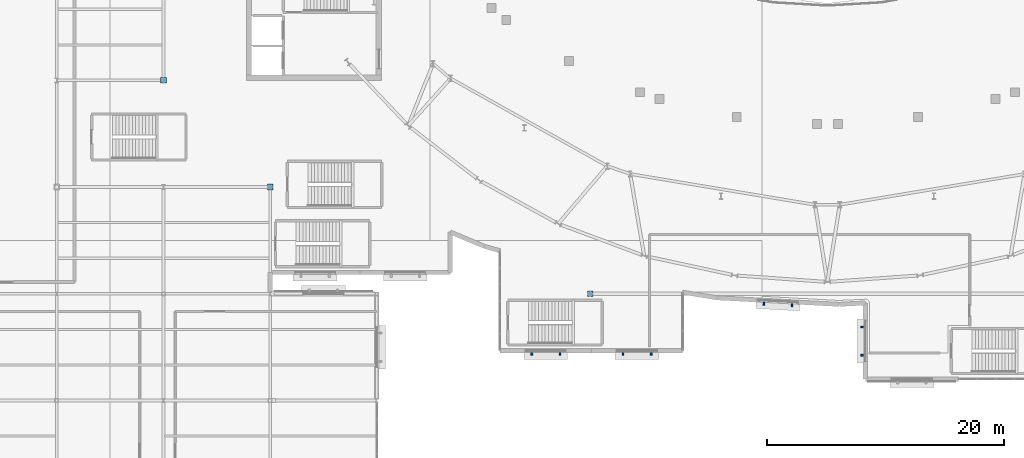
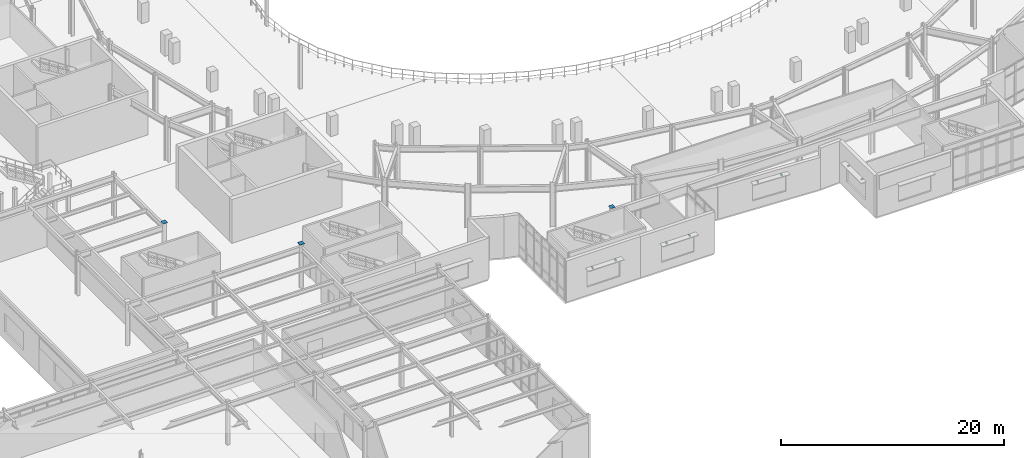
# One storey, part 70 of 84: 11 discrete accessories.
"""IFC4 building model written with IfcOpenShell, lengths in metres."""

from ifc_helpers import new_model, si_unit, direction, frame, origin, origin_2d, place, context, subcontext, project, spatial, rectangle, extrude, material, type_object, element, save


model = new_model("IFC4")

# Units and contexts
model_context = context("Model", 3, precision=1e-05, world=origin(), true_north=direction((0.0, 1.0)))
body_context = subcontext(model_context, "Body", "Model", "MODEL_VIEW")
ifc_project = project(units=[si_unit("LENGTHUNIT", "METRE"), si_unit("AREAUNIT", "SQUARE_METRE"), si_unit("VOLUMEUNIT", "CUBIC_METRE"), si_unit("PLANEANGLEUNIT", "RADIAN"), si_unit("MASSUNIT", "GRAM", prefix="KILO")], contexts=[model_context])

# Site, building, storey
site_placement = place(None, origin())
site = spatial("IfcSite", under=ifc_project, at=site_placement, CompositionType="ELEMENT")
building_placement = place(site_placement, origin())
building = spatial("IfcBuilding", under=site, at=building_placement, Name="Glasvene Arena", CompositionType="ELEMENT")
storey_placement = place(building_placement, frame((0.0, 0.0, 10.199951171875)))
storey = spatial("IfcBuildingStorey", under=building, at=storey_placement, Name="L02", CompositionType="ELEMENT", Elevation=10.199951171875)

# Discrete accessories
ifc_material_1 = material(Name="Steel S355J2", Category="steel")
discrete_accessory_type_1 = type_object("IfcDiscreteAccessoryType", Name="ACC-CAP-CHS420", PredefinedType="USERDEFINED", material=ifc_material_1)
for number, where, z_axis, x_axis, name in (
    (1, (36.0, 45.0, 4.798095703125), (0.0, 0.0, 1.0), (1.0, 0.0, 0.0), "Hollow column top cap plate 5-6 L02"),
    (2, (45.0, 36.0, 4.798095703125), (0.0, 0.0, 1.0), (1.0, 0.0, 0.0), "Hollow column top cap plate 6-5 L02"),
    (3, (72.0, 27.0, 4.798095703125), (0.0, 0.0, 1.0), (1.0, 0.0, 0.0), "Hollow column top cap plate 9-4 L02"),
):
    element("IfcDiscreteAccessory", number, at=place(storey_placement, frame(where, z_axis=z_axis, x_axis=x_axis)), inside=storey, type_object=discrete_accessory_type_1, Name=name, ObjectType="CAP PLATE", PredefinedType="USERDEFINED", context=body_context, shape_type="SweptSolid", body=[
        extrude(rectangle(XDim=0.47998046875, YDim=0.47998046875, at=origin_2d()), origin(), (0.0, 0.0, 1.0), 0.02001953125),
    ])
ifc_material_2 = material(Name="Warm bronze architectural aluminium", Category="aluminium")
discrete_accessory_type_2 = type_object("IfcDiscreteAccessoryType", Name="ACC-FIN-BRK", PredefinedType="BRACKET", material=ifc_material_2)
for number, where, z_axis, x_axis, name in (
    (4, (94.919921875, 21.819091796875, 2.8701171875), (0.0, 0.0, 1.0), (0.0, 1.0, 0.0), "Brise-soleil wall bracket BK-057"),
    (5, (94.919921875, 24.198974609375, 2.8701171875), (0.0, 0.0, 1.0), (0.0, 1.0, 0.0), "Brise-soleil wall bracket BK-057"),
    (6, (89.018798828125, 26.033203125, 2.8701171875), (0.0, 0.0, 1.0), (-0.998564849048, 0.053555973018, 0.0), "Brise-soleil wall bracket BK-058"),
    (7, (86.64208984375, 26.160400390625, 2.8701171875), (0.0, 0.0, 1.0), (-0.998564849048, 0.053555973018, 0.0), "Brise-soleil wall bracket BK-058"),
    (8, (77.139892578125, 21.919921875, 2.8701171875), (0.0, 0.0, 1.0), (-1.0, 0.0, 0.0), "Brise-soleil wall bracket BK-059"),
    (9, (74.760009765625, 21.919921875, 2.8701171875), (0.0, 0.0, 1.0), (-1.0, 0.0, 0.0), "Brise-soleil wall bracket BK-059"),
    (10, (69.43994140625, 21.919921875, 2.8701171875), (0.0, 0.0, 1.0), (-1.0, 0.0, 0.0), "Brise-soleil wall bracket BK-060"),
    (11, (67.06005859375, 21.919921875, 2.8701171875), (0.0, 0.0, 1.0), (-1.0, 0.0, 0.0), "Brise-soleil wall bracket BK-060"),
):
    element("IfcDiscreteAccessory", number, at=place(storey_placement, frame(where, z_axis=z_axis, x_axis=x_axis)), inside=storey, type_object=discrete_accessory_type_2, Name=name, PredefinedType="BRACKET", context=body_context, shape_type="SweptSolid", body=[
        extrude(rectangle(XDim=0.139892578125, YDim=0.239990234375, at=origin_2d()), origin(), (0.0, 0.0, 1.0), 0.139892578125),
    ])

save(model, "model.ifc")
